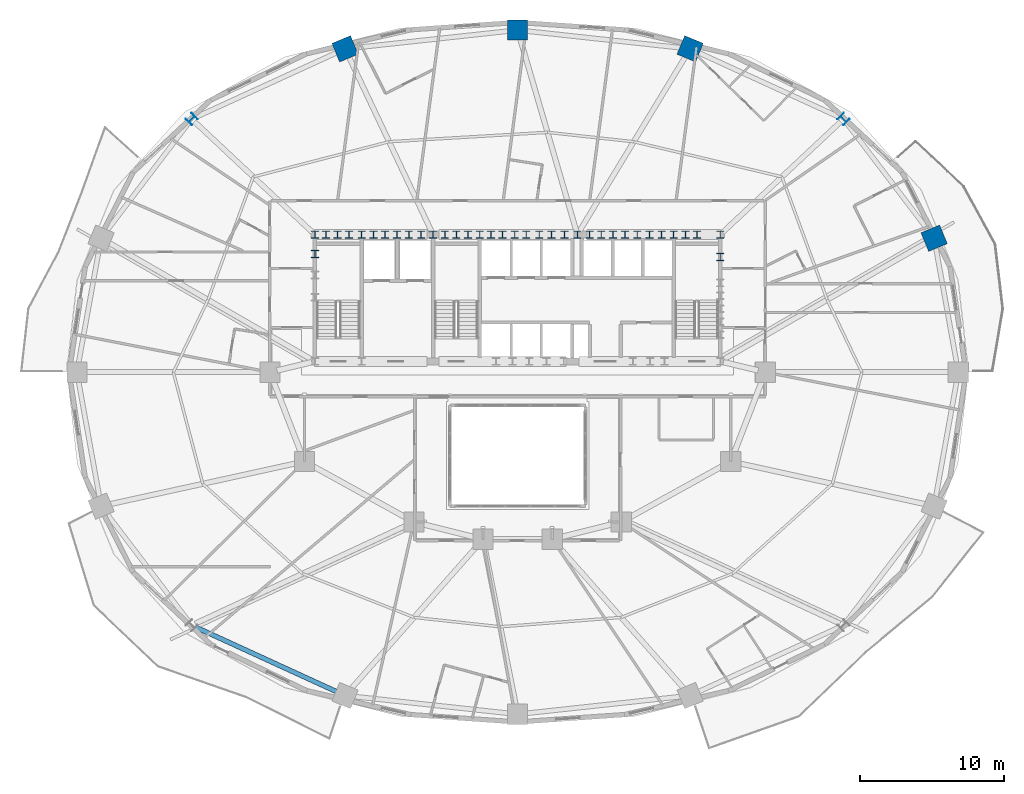
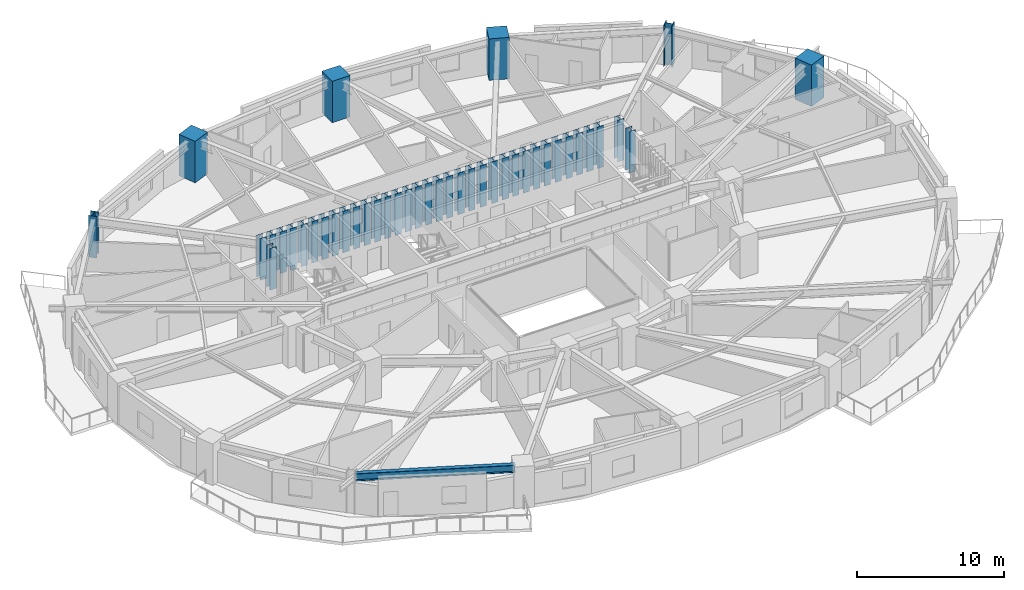
# One storey, part 2 of 17: 42 columns, 1 beam.
"""IFC4 building model written with IfcOpenShell, lengths in metres."""

from ifc_helpers import new_model, si_unit, direction, frame, origin, origin_2d, place, context, subcontext, project, spatial, rectangle, i_section, extrude, material, material_profile, profile_set, type_object, element, save


model = new_model("IFC4")

# Units and contexts
model_context = context("Model", 3, precision=1e-05, world=origin(), true_north=direction((0.0, 1.0)))
body_context = subcontext(model_context, "Body", "Model", "MODEL_VIEW")
ifc_project = project(units=[si_unit("LENGTHUNIT", "METRE"), si_unit("AREAUNIT", "SQUARE_METRE"), si_unit("VOLUMEUNIT", "CUBIC_METRE"), si_unit("PLANEANGLEUNIT", "RADIAN"), si_unit("MASSUNIT", "GRAM", prefix="KILO")], contexts=[model_context])

# Site, building, storey
site_placement = place(None, origin())
site = spatial("IfcSite", under=ifc_project, at=site_placement, CompositionType="ELEMENT")
building_placement = place(site_placement, origin())
building = spatial("IfcBuilding", under=site, at=building_placement, Name="Haldorwick Loom Tower", CompositionType="ELEMENT")
storey_placement = place(building_placement, frame((0.0, 0.0, 55.050048828125)))
storey = spatial("IfcBuildingStorey", under=building, at=storey_placement, Name="L14", CompositionType="ELEMENT", Elevation=55.050048828125)

# Columns
ifc_material_1 = material(Name="Concrete C60 (60 MPa)", Category="concrete")
ifc_material_profile_1 = material_profile(ifc_material_1, rectangle(XDim=1.39990234375, YDim=1.39990234375, at=origin_2d()), Name="RC1400X1400", Category="concrete")
ifc_profile_set_1 = profile_set([ifc_material_profile_1], Name="Concrete C60 (60 MPa)")
column_type_1 = type_object("IfcColumnType", Name="STR-COL-RC1400", PredefinedType="PILASTER", material=ifc_profile_set_1)
for number, where, z_axis, x_axis, name in (
    (1, (64.91748046875, 35.29931640625, 0.0), (0.0, 0.0, 1.0), (0.923879532511, 0.382683432365, 0.0), "L14 Perimeter Pier Column P02"),
    (2, (47.97802734375, 48.4501953125, 0.0), (0.0, 0.0, 1.0), (0.382683432365, 0.923879532511, 0.0), "L14 Perimeter Pier Column P04"),
    (3, (36.0, 49.75, 0.0), (0.0, 0.0, 1.0), (0.0, 1.0, 0.0), "L14 Perimeter Pier Column P05"),
    (4, (24.02197265625, 48.4501953125, 0.0), (0.0, 0.0, 1.0), (-0.382683432365, 0.923879532511, 0.0), "L14 Perimeter Pier Column P06"),
):
    element("IfcColumn", number, at=place(storey_placement, frame(where, z_axis=z_axis, x_axis=x_axis)), inside=storey, type_object=column_type_1, Name=name, PredefinedType="PILASTER", context=body_context, shape_type="SweptSolid", body=[
        extrude(rectangle(XDim=1.39990234375, YDim=1.39990234375, at=origin_2d()), origin(), (0.0, 0.0, 1.0), 3.449951171875),
    ])
ifc_material_2 = material(Name="Steel CSA G40.21 350WT", Category="steel")
ifc_material_profile_2 = material_profile(ifc_material_2, i_section(OverallWidth=0.5, OverallDepth=0.5, WebThickness=0.02197265625, FlangeThickness=0.031982421875, at=origin_2d()), Name="WWF500X500", Category="steel")
ifc_profile_set_2 = profile_set([ifc_material_profile_2], Name="Steel CSA G40.21 350WT")
column_type_2 = type_object("IfcColumnType", Name="STR-COL-WWF500", PredefinedType="COLUMN", material=ifc_profile_set_2)
for number, where, z_axis, x_axis, name in (
    (5, (21.929931640625, 35.550048828125, 0.0), (0.0, 0.0, 1.0), (1.0, 0.0, 0.0), "L14 Core Pilaster CB-01"),
    (6, (23.5, 35.550048828125, 0.0), (0.0, 0.0, 1.0), (1.0, 0.0, 0.0), "L14 Core Pilaster CB-02"),
    (7, (25.169921875, 35.550048828125, 0.0), (0.0, 0.0, 1.0), (1.0, 0.0, 0.0), "L14 Core Pilaster CB-03"),
    (8, (26.800048828125, 35.550048828125, 0.0), (0.0, 0.0, 1.0), (1.0, 0.0, 0.0), "L14 Core Pilaster CB-04"),
    (9, (28.449951171875, 35.550048828125, 0.0), (0.0, 0.0, 1.0), (1.0, 0.0, 0.0), "L14 Core Pilaster CB-05"),
    (10, (30.1298828125, 35.550048828125, 0.0), (0.0, 0.0, 1.0), (1.0, 0.0, 0.0), "L14 Core Pilaster CB-06"),
    (11, (31.75, 35.550048828125, 0.0), (0.0, 0.0, 1.0), (1.0, 0.0, 0.0), "L14 Core Pilaster CB-07"),
    (12, (33.3701171875, 35.550048828125, 0.0), (0.0, 0.0, 1.0), (1.0, 0.0, 0.0), "L14 Core Pilaster CB-08"),
    (13, (34.949951171875, 35.550048828125, 0.0), (0.0, 0.0, 1.0), (1.0, 0.0, 0.0), "L14 Core Pilaster CB-09"),
    (14, (36.60009765625, 35.550048828125, 0.0), (0.0, 0.0, 1.0), (1.0, 0.0, 0.0), "L14 Core Pilaster CB-10"),
    (15, (38.35009765625, 35.550048828125, 0.0), (0.0, 0.0, 1.0), (1.0, 0.0, 0.0), "L14 Core Pilaster CB-11"),
    (16, (40.14990234375, 35.550048828125, 0.0), (0.0, 0.0, 1.0), (1.0, 0.0, 0.0), "L14 Core Pilaster CB-12"),
    (17, (41.800048828125, 35.550048828125, 0.0), (0.0, 0.0, 1.0), (1.0, 0.0, 0.0), "L14 Core Pilaster CB-13"),
    (18, (43.449951171875, 35.550048828125, 0.0), (0.0, 0.0, 1.0), (1.0, 0.0, 0.0), "L14 Core Pilaster CB-14"),
    (19, (45.14990234375, 35.550048828125, 0.0), (0.0, 0.0, 1.0), (1.0, 0.0, 0.0), "L14 Core Pilaster CB-15"),
    (20, (46.830078125, 35.550048828125, 0.0), (0.0, 0.0, 1.0), (1.0, 0.0, 0.0), "L14 Core Pilaster CB-16"),
    (21, (48.449951171875, 35.550048828125, 0.0), (0.0, 0.0, 1.0), (1.0, 0.0, 0.0), "L14 Core Pilaster CB-17"),
    (22, (50.070068359375, 35.550048828125, 0.0), (0.0, 0.0, 1.0), (1.0, 0.0, 0.0), "L14 Core Pilaster CB-18"),
    (23, (21.929931640625, 34.199951171875, 0.0), (0.0, 0.0, 1.0), (1.0, 0.0, 0.0), "L14 Core Pilaster CB-28"),
    (24, (50.070068359375, 34.0, 0.0), (0.0, 0.0, 1.0), (1.0, 0.0, 0.0), "L14 Core Pilaster CB-32"),
    (25, (22.699951171875, 35.550048828125, 0.0), (0.0, 0.0, 1.0), (1.0, 0.0, 0.0), "L14 Core Pilaster CB-33"),
    (26, (27.6201171875, 35.550048828125, 0.0), (0.0, 0.0, 1.0), (1.0, 0.0, 0.0), "L14 Core Pilaster CB-34"),
    (27, (32.550048828125, 35.550048828125, 0.0), (0.0, 0.0, 1.0), (1.0, 0.0, 0.0), "L14 Core Pilaster CB-35"),
    (28, (37.5, 35.550048828125, 0.0), (0.0, 0.0, 1.0), (1.0, 0.0, 0.0), "L14 Core Pilaster CB-36"),
    (29, (42.6201171875, 35.550048828125, 0.0), (0.0, 0.0, 1.0), (1.0, 0.0, 0.0), "L14 Core Pilaster CB-37"),
    (30, (47.64990234375, 35.550048828125, 0.0), (0.0, 0.0, 1.0), (1.0, 0.0, 0.0), "L14 Core Pilaster CB-38"),
    (31, (24.300048828125, 35.550048828125, 0.0), (0.0, 0.0, 1.0), (1.0, 0.0, 0.0), "L14 Core Pilaster CB-39"),
    (32, (26.0, 35.550048828125, 0.0), (0.0, 0.0, 1.0), (1.0, 0.0, 0.0), "L14 Core Pilaster CB-40"),
    (33, (29.300048828125, 35.550048828125, 0.0), (0.0, 0.0, 1.0), (1.0, 0.0, 0.0), "L14 Core Pilaster CB-41"),
    (34, (30.949951171875, 35.550048828125, 0.0), (0.0, 0.0, 1.0), (1.0, 0.0, 0.0), "L14 Core Pilaster CB-42"),
    (35, (34.14990234375, 35.550048828125, 0.0), (0.0, 0.0, 1.0), (1.0, 0.0, 0.0), "L14 Core Pilaster CB-43"),
    (36, (35.800048828125, 35.550048828125, 0.0), (0.0, 0.0, 1.0), (1.0, 0.0, 0.0), "L14 Core Pilaster CB-44"),
    (37, (39.25, 35.550048828125, 0.0), (0.0, 0.0, 1.0), (1.0, 0.0, 0.0), "L14 Core Pilaster CB-45"),
    (38, (41.0, 35.550048828125, 0.0), (0.0, 0.0, 1.0), (1.0, 0.0, 0.0), "L14 Core Pilaster CB-46"),
    (39, (44.300048828125, 35.550048828125, 0.0), (0.0, 0.0, 1.0), (1.0, 0.0, 0.0), "L14 Core Pilaster CB-47"),
    (40, (46.0, 35.550048828125, 0.0), (0.0, 0.0, 1.0), (1.0, 0.0, 0.0), "L14 Core Pilaster CB-48"),
):
    element("IfcColumn", number, at=place(storey_placement, frame(where, z_axis=z_axis, x_axis=x_axis)), inside=storey, type_object=column_type_2, Name=name, PredefinedType="COLUMN", context=body_context, shape_type="SweptSolid", body=[
        extrude(i_section(OverallWidth=0.5, OverallDepth=0.5, WebThickness=0.02197265625, FlangeThickness=0.031982421875, at=origin_2d()), origin(), (0.0, 0.0, 1.0), 3.449951171875),
    ])
ifc_material_profile_3 = material_profile(ifc_material_2, i_section(OverallWidth=0.60009765625, OverallDepth=0.60009765625, WebThickness=0.02490234375, FlangeThickness=0.035888671875, at=origin_2d()), Name="WWF600X600", Category="steel")
ifc_profile_set_3 = profile_set([ifc_material_profile_3], Name="Steel CSA G40.21 350WT")
column_type_3 = type_object("IfcColumnType", Name="STR-COL-WWF600", PredefinedType="COLUMN", material=ifc_profile_set_3)
for number, where, z_axis, x_axis, name in (
    (41, (58.630126953125, 43.571533203125, 0.0), (0.0, 0.0, 1.0), (0.707106781187, 0.707106781187, 0.0), "L14 Perimeter Pier Column P03"),
    (42, (13.369873046875, 43.571533203125, 0.0), (0.0, 0.0, 1.0), (-0.707106781187, 0.707106781187, 0.0), "L14 Perimeter Pier Column P07"),
):
    element("IfcColumn", number, at=place(storey_placement, frame(where, z_axis=z_axis, x_axis=x_axis)), inside=storey, type_object=column_type_3, Name=name, PredefinedType="COLUMN", context=body_context, shape_type="SweptSolid", body=[
        extrude(i_section(OverallWidth=0.60009765625, OverallDepth=0.60009765625, WebThickness=0.02490234375, FlangeThickness=0.035888671875, at=origin_2d()), origin(), (0.0, 0.0, 1.0), 3.449951171875),
    ])

# Beam
ifc_material_3 = material(Name="Steel CSA G40.21 350W", Category="steel")
ifc_material_profile_4 = material_profile(ifc_material_3, i_section(OverallWidth=0.324951171875, OverallDepth=0.615966796875, WebThickness=0.013916015625, FlangeThickness=0.021484375, at=origin_2d()), Name="W610X174", Category="steel")
ifc_profile_set_4 = profile_set([ifc_material_profile_4], Name="Steel CSA G40.21 350W")
beam_type = type_object("IfcBeamType", Name="STR-BM-SP610", PredefinedType="SPANDREL", material=ifc_profile_set_4)
beam_placement = place(storey_placement, frame((13.619873046875, 8.31396484375, 2.90185546875), z_axis=(0.909173805321, -0.416416848504, 0.0), x_axis=(0.416416848504, 0.909173805321, 0.0)))
element("IfcBeam", 43, at=beam_placement, inside=storey, type_object=beam_type, Name="L14 Perimeter Spandrel 11", PredefinedType="SPANDREL", context=body_context, shape_type="SweptSolid", body=[
    extrude(i_section(OverallWidth=0.324951171875, OverallDepth=0.615966796875, WebThickness=0.013916015625, FlangeThickness=0.021484375, at=origin_2d()), origin(), (0.0, 0.0, 1.0), 10.92138671875),
])

save(model, "model.ifc")
